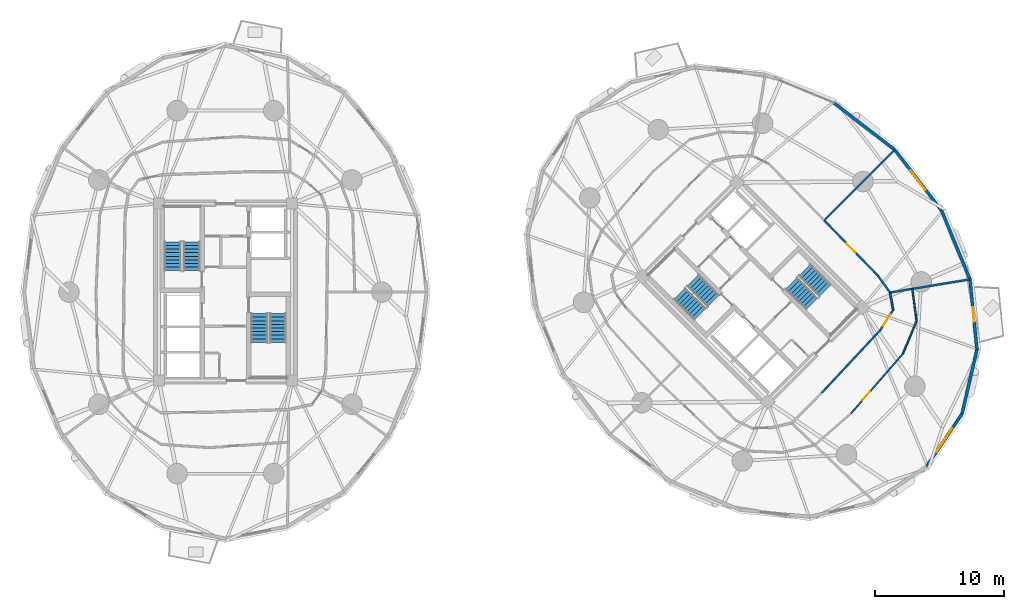
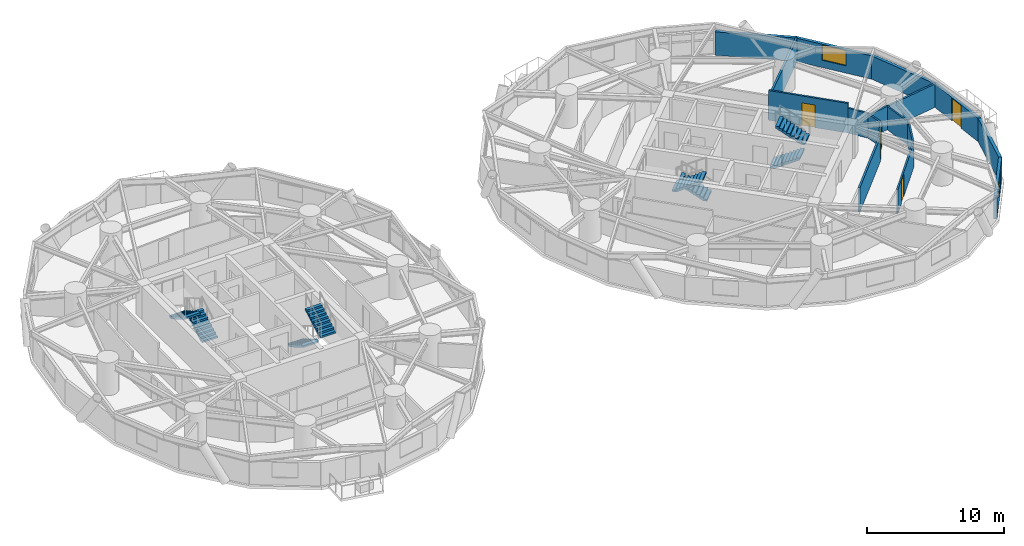
# One storey, part 14 of 17: 16 walls, 8 stair flights, 4 doors, 2 windows, 6 openings, 4 elements without a shape of their own.
"""IFC4 building model written with IfcOpenShell, lengths in metres."""

from ifc_helpers import new_model, si_unit, direction, frame, frame_2d, origin, place, context, subcontext, project, spatial, polyline, rectangle, outline, extrude, source, transform, mapped, material, layer, layer_set, type_object, element, fill, aggregate, save


model = new_model("IFC4")

# Units and contexts
model_context = context("Model", 3, precision=1e-05, world=origin(), true_north=direction((0.0, 1.0)))
body_context = subcontext(model_context, "Body", "Model", "MODEL_VIEW")
ifc_project = project(units=[si_unit("LENGTHUNIT", "METRE"), si_unit("AREAUNIT", "SQUARE_METRE"), si_unit("VOLUMEUNIT", "CUBIC_METRE"), si_unit("PLANEANGLEUNIT", "RADIAN"), si_unit("MASSUNIT", "GRAM", prefix="KILO")], contexts=[model_context])

# Site, building, storey
site_placement = place(None, origin())
site = spatial("IfcSite", under=ifc_project, at=site_placement, CompositionType="ELEMENT")
building_placement = place(site_placement, origin())
building = spatial("IfcBuilding", under=site, at=building_placement, Name="Cununo Teusaquillo Station Towers", CompositionType="ELEMENT")
storey_placement = place(building_placement, frame((0.0, 0.0, 59.830078125)))
storey = spatial("IfcBuildingStorey", under=building, at=storey_placement, Name="L18", CompositionType="ELEMENT", Elevation=59.830078125)

# Wall
ifc_material_1 = material(Name="Precast concrete C40/50", Category="concrete")
ifc_layer_1 = layer(ifc_material_1, 0.239990234375)
ifc_layer_set_1 = layer_set([ifc_layer_1], Name="Precast concrete C40/50")
wall_type_1 = type_object("IfcWallType", Name="WL-EXT-240", PredefinedType="SOLIDWALL", material=ifc_layer_set_1)
wall_1_placement = place(storey_placement, frame((63.844482421875, 39.22216796875, 0.0), z_axis=(0.0, 0.0, 1.0), x_axis=(0.792014314407, -0.610502519057, 0.0)))
element("IfcWall", 1, at=wall_1_placement, inside=storey, type_object=wall_type_1, Name="L18 Tower B Exterior Facade Wall C00", PredefinedType="SOLIDWALL", context=body_context, shape_type="SweptSolid", body=[
    extrude(rectangle(XDim=5.973388671875, YDim=0.239990234375, at=frame_2d((2.98681640625, 0.0))), origin(), (0.0, 0.0, 1.0), 2.072998046875),
])

# Wall, opening, window
wall_2_placement = place(storey_placement, frame((73.814208984375, 15.030517578125, 0.0), z_axis=(0.0, 0.0, 1.0), x_axis=(-0.559638693991, -0.828736708604, 0.0)))
wall_2 = element("IfcWall", 2, at=wall_2_placement, inside=storey, type_object=wall_type_1, Name="L18 Tower B Exterior Facade Wall C15", PredefinedType="SOLIDWALL", context=body_context, shape_type="SweptSolid", body=[
    extrude(rectangle(XDim=4.929931640625, YDim=0.239990234375, at=frame_2d((2.46484375, 0.0))), origin(), (0.0, 0.0, 1.0), 2.072998046875),
])
shared_shape_1 = source(origin(), body_context, "Body", "SweptSolid", [
    extrude(rectangle(XDim=2.199951171875, YDim=1.35009765625, at=frame_2d((1.10009765625, 0.675048828125))), frame((0.0, 0.1298828125, 0.0), z_axis=(0.0, -1.0, 0.0), x_axis=(1.0, 0.0, 0.0)), (0.0, 0.0, 1.0), 0.260009765625),
])
opening_1_placement = place(wall_2_placement, frame((1.364990234375, 0.0, 0.64990234375)))
opening_1 = element("IfcOpeningElement", 3, at=opening_1_placement, cuts=wall_2, Name="Opening WN-01", PredefinedType="OPENING", context=body_context, shape_type="MappedRepresentation", body=[
    mapped(shared_shape_1, transform((0.0, 0.0, 0.0), x_axis=(1.0, 0.0, 0.0), y_axis=(0.0, 1.0, 0.0), z_axis=(0.0, 0.0, 1.0), scale=1.0)),
])
ifc_material_2 = material(Name="Ceramic-fritted dark low-E double glazing", Category="glass")
window_type_1 = type_object("IfcWindowType", Name="WIN-FRIT-2200", PartitioningType="DOUBLE_PANEL_VERTICAL", PredefinedType="WINDOW", material=ifc_material_2)
shared_shape_2 = source(origin(), body_context, "Body", "SweptSolid", [
    extrude(rectangle(XDim=2.199951171875, YDim=1.35009765625, at=frame_2d((1.10009765625, 0.675048828125))), frame((0.0, 0.030029296875, 0.0), z_axis=(0.0, -1.0, 0.0), x_axis=(1.0, 0.0, 0.0)), (0.0, 0.0, 1.0), 0.06005859375),
])
window_1_placement = place(opening_1_placement, origin())
window_1 = element("IfcWindow", 4, at=window_1_placement, inside=storey, type_object=window_type_1, Name="L18 Tower B Facade Window C15", OverallHeight=1.35009765625, OverallWidth=2.199951171875, PartitioningType="DOUBLE_PANEL_VERTICAL", PredefinedType="WINDOW", context=body_context, shape_type="MappedRepresentation", body=[
    mapped(shared_shape_2, transform((0.0, 0.0, 0.0), x_axis=(1.0, 0.0, 0.0), y_axis=(0.0, 1.0, 0.0), z_axis=(0.0, 0.0, 1.0), scale=1.0)),
])
fill(opening_1, window_1)

# Wall
wall_3_placement = place(storey_placement, frame((74.976318359375, 20.04345703125, 0.0), z_axis=(0.0, 0.0, 1.0), x_axis=(-0.225833060959, -0.974166016949, 0.0)))
element("IfcWall", 5, at=wall_3_placement, inside=storey, type_object=wall_type_1, Name="L18 Tower B Exterior Facade Wall C16", PredefinedType="SOLIDWALL", context=body_context, shape_type="SweptSolid", body=[
    extrude(rectangle(XDim=5.14599609375, YDim=0.239990234375, at=frame_2d((2.572998046875, 0.0))), origin(), (0.0, 0.0, 1.0), 2.072998046875),
])

# Wall, opening, door
wall_4_placement = place(storey_placement, frame((74.427734375, 25.49267578125, 0.0), z_axis=(0.0, 0.0, 1.0), x_axis=(0.100165739718, -0.994970765694, 0.0)))
wall_4 = element("IfcWall", 6, at=wall_4_placement, inside=storey, type_object=wall_type_1, Name="L18 Tower B Exterior Facade Wall C17", PredefinedType="SOLIDWALL", context=body_context, shape_type="SweptSolid", body=[
    extrude(rectangle(XDim=5.476806640625, YDim=0.239990234375, at=frame_2d((2.73828125, 0.0))), origin(), (0.0, 0.0, 1.0), 2.072998046875),
])
shared_shape_3 = source(origin(), body_context, "Body", "SweptSolid", [
    extrude(rectangle(XDim=1.14990234375, YDim=2.0048828125, at=frame_2d((0.574951171875, 1.00244140625))), frame((0.0, 0.1298828125, 0.0), z_axis=(0.0, -1.0, 0.0), x_axis=(1.0, 0.0, 0.0)), (0.0, 0.0, 1.0), 0.260009765625),
])
opening_2_placement = place(wall_4_placement, frame((2.1630859375, 0.0, 0.0)))
opening_2 = element("IfcOpeningElement", 7, at=opening_2_placement, cuts=wall_4, Name="Opening ED-03", PredefinedType="OPENING", context=body_context, shape_type="MappedRepresentation", body=[
    mapped(shared_shape_3, transform((0.0, 0.0, 0.0), x_axis=(1.0, 0.0, 0.0), y_axis=(0.0, 1.0, 0.0), z_axis=(0.0, 0.0, 1.0), scale=1.0)),
])
ifc_material_3 = material(Name="Anodised dark bronze aluminium EN AW-6063-T6", Category="aluminium")
door_type_1 = type_object("IfcDoorType", Name="DR-EXT-BAL", OperationType="NOTDEFINED", PredefinedType="DOOR", material=ifc_material_3)
shared_shape_4 = source(origin(), body_context, "Body", "SweptSolid", [
    extrude(rectangle(XDim=1.14990234375, YDim=2.0048828125, at=frame_2d((0.574951171875, 1.00244140625))), frame((0.0, 0.02490234375, 0.0), z_axis=(0.0, -1.0, 0.0), x_axis=(1.0, 0.0, 0.0)), (0.0, 0.0, 1.0), 0.050048828125),
])
door_1_placement = place(opening_2_placement, origin())
door_1 = element("IfcDoor", 8, at=door_1_placement, inside=storey, type_object=door_type_1, Name="L18 Tower B Tree Balcony Door C17", OperationType="SINGLE_SWING_LEFT", OverallHeight=2.0048828125, OverallWidth=1.14990234375, PredefinedType="DOOR", context=body_context, shape_type="MappedRepresentation", body=[
    mapped(shared_shape_4, transform((0.0, 0.0, 0.0), x_axis=(1.0, 0.0, 0.0), y_axis=(0.0, 1.0, 0.0), z_axis=(0.0, 0.0, 1.0), scale=1.0)),
])
fill(opening_2, door_1)

# Wall
wall_5_placement = place(storey_placement, frame((72.22216796875, 30.844482421875, 0.0), z_axis=(0.0, 0.0, 1.0), x_axis=(0.381027682565, -0.924563629567, 0.0)))
element("IfcWall", 9, at=wall_5_placement, inside=storey, type_object=wall_type_1, Name="L18 Tower B Exterior Facade Wall C18", PredefinedType="SOLIDWALL", context=body_context, shape_type="SweptSolid", body=[
    extrude(rectangle(XDim=5.78857421875, YDim=0.239990234375, at=frame_2d((2.894287109375, 0.0))), origin(), (0.0, 0.0, 1.0), 2.072998046875),
])

# Wall, opening, window
wall_6_placement = place(storey_placement, frame((68.575439453125, 35.575439453125, 0.0), z_axis=(0.0, 0.0, 1.0), x_axis=(0.610502519057, -0.792014314407, 0.0)))
wall_6 = element("IfcWall", 10, at=wall_6_placement, inside=storey, type_object=wall_type_1, Name="L18 Tower B Exterior Facade Wall C19", PredefinedType="SOLIDWALL", context=body_context, shape_type="SweptSolid", body=[
    extrude(rectangle(XDim=5.973388671875, YDim=0.239990234375, at=frame_2d((2.98681640625, 0.0))), origin(), (0.0, 0.0, 1.0), 2.072998046875),
])
shared_shape_5 = source(origin(), body_context, "Body", "SweptSolid", [
    extrude(rectangle(XDim=1.89990234375, YDim=1.35009765625, at=frame_2d((0.949951171875, 0.675048828125))), frame((0.0, 0.1298828125, 0.0), z_axis=(0.0, -1.0, 0.0), x_axis=(1.0, 0.0, 0.0)), (0.0, 0.0, 1.0), 0.260009765625),
])
opening_3_placement = place(wall_6_placement, frame((2.037109375, 0.0, 0.64990234375)))
opening_3 = element("IfcOpeningElement", 11, at=opening_3_placement, cuts=wall_6, Name="Opening WN-02", PredefinedType="OPENING", context=body_context, shape_type="MappedRepresentation", body=[
    mapped(shared_shape_5, transform((0.0, 0.0, 0.0), x_axis=(1.0, 0.0, 0.0), y_axis=(0.0, 1.0, 0.0), z_axis=(0.0, 0.0, 1.0), scale=1.0)),
])
ifc_material_4 = material(Name="Operable acoustic tinted low-E double glazing", Category="glass")
window_type_2 = type_object("IfcWindowType", Name="WIN-OPER-1900", PartitioningType="DOUBLE_PANEL_VERTICAL", PredefinedType="WINDOW", material=ifc_material_4)
shared_shape_6 = source(origin(), body_context, "Body", "SweptSolid", [
    extrude(rectangle(XDim=1.89990234375, YDim=1.35009765625, at=frame_2d((0.949951171875, 0.675048828125))), frame((0.0, 0.030029296875, 0.0), z_axis=(0.0, -1.0, 0.0), x_axis=(1.0, 0.0, 0.0)), (0.0, 0.0, 1.0), 0.06005859375),
])
window_2_placement = place(opening_3_placement, origin())
window_2 = element("IfcWindow", 12, at=window_2_placement, inside=storey, type_object=window_type_2, Name="L18 Tower B Facade Window C19", OverallHeight=1.35009765625, OverallWidth=1.89990234375, PartitioningType="DOUBLE_PANEL_VERTICAL", PredefinedType="WINDOW", context=body_context, shape_type="MappedRepresentation", body=[
    mapped(shared_shape_6, transform((0.0, 0.0, 0.0), x_axis=(1.0, 0.0, 0.0), y_axis=(0.0, 1.0, 0.0), z_axis=(0.0, 0.0, 1.0), scale=1.0)),
])
fill(opening_3, window_2)

# Wall, opening, door
ifc_material_5 = material(Name="Fire-rated gypsum plasterboard partition assembly", Category="gypsum")
ifc_layer_2 = layer(ifc_material_5, 0.125)
ifc_layer_set_2 = layer_set([ifc_layer_2], Name="Fire-rated gypsum plasterboard partition assembly")
wall_type_2 = type_object("IfcWallType", Name="WL-PART-125", PredefinedType="PARTITIONING", material=ifc_layer_set_2)
wall_7_placement = place(storey_placement, frame((65.181396484375, 15.068359375, 0.0), z_axis=(0.0, 0.0, 1.0), x_axis=(0.656272116637, 0.754524293131, 0.0)))
wall_7 = element("IfcWall", 13, at=wall_7_placement, inside=storey, type_object=wall_type_2, Name="L18 Tower B Hotel Housekeeping & Linen Pantry Concentric Partition Wall C15", PredefinedType="PARTITIONING", context=body_context, shape_type="SweptSolid", body=[
    extrude(rectangle(XDim=6.1474609375, YDim=0.125, at=frame_2d((3.07373046875, 0.0))), origin(), (0.0, 0.0, 1.0), 2.158935546875),
])
shared_shape_7 = source(origin(), body_context, "Body", "SweptSolid", [
    extrude(rectangle(XDim=0.89990234375, YDim=2.0048828125, at=frame_2d((0.449951171875, 1.00244140625))), frame((0.0, 0.072509765625, 0.0), z_axis=(0.0, -1.0, 0.0), x_axis=(1.0, 0.0, 0.0)), (0.0, 0.0, 1.0), 0.14501953125),
])
opening_4_placement = place(wall_7_placement, frame((1.371826171875, 0.0, 0.0)))
opening_4 = element("IfcOpeningElement", 14, at=opening_4_placement, cuts=wall_7, Name="Opening D-IN1", PredefinedType="OPENING", context=body_context, shape_type="MappedRepresentation", body=[
    mapped(shared_shape_7, transform((0.0, 0.0, 0.0), x_axis=(1.0, 0.0, 0.0), y_axis=(0.0, 1.0, 0.0), z_axis=(0.0, 0.0, 1.0), scale=1.0)),
])
ifc_material_6 = material(Name="Acoustic solid-core hardwood leaf assembly", Category="wood")
door_type_2 = type_object("IfcDoorType", Name="DR-INT-900", OperationType="NOTDEFINED", PredefinedType="DOOR", material=ifc_material_6)
shared_shape_8 = source(origin(), body_context, "Body", "SweptSolid", [
    extrude(rectangle(XDim=0.89990234375, YDim=2.0048828125, at=frame_2d((0.449951171875, 1.00244140625))), frame((0.0, 0.02490234375, 0.0), z_axis=(0.0, -1.0, 0.0), x_axis=(1.0, 0.0, 0.0)), (0.0, 0.0, 1.0), 0.050048828125),
])
door_2_placement = place(opening_4_placement, origin())
door_2 = element("IfcDoor", 15, at=door_2_placement, inside=storey, type_object=door_type_2, Name="L18 Tower B Hotel Housekeeping & Linen Pantry Connecting Door", OperationType="SINGLE_SWING_LEFT", OverallHeight=2.0048828125, OverallWidth=0.89990234375, PredefinedType="DOOR", context=body_context, shape_type="MappedRepresentation", body=[
    mapped(shared_shape_8, transform((0.0, 0.0, 0.0), x_axis=(1.0, 0.0, 0.0), y_axis=(0.0, 1.0, 0.0), z_axis=(0.0, 0.0, 1.0), scale=1.0)),
])
fill(opening_4, door_2)

# Walls
wall_8_placement = place(storey_placement, frame((69.2158203125, 19.706787109375, 0.0), z_axis=(0.0, 0.0, 1.0), x_axis=(0.384483341888, 0.923131929797, 0.0)))
element("IfcWall", 16, at=wall_8_placement, inside=storey, type_object=wall_type_2, Name="L18 Tower B Hotel Housekeeping & Linen Pantry Concentric Partition Wall C16", PredefinedType="PARTITIONING", context=body_context, shape_type="SweptSolid", body=[
    extrude(rectangle(XDim=2.757080078125, YDim=0.125, at=frame_2d((1.37841796875, 0.0))), origin(), (0.0, 0.0, 1.0), 2.204833984375),
])
wall_9_placement = place(storey_placement, frame((70.27587890625, 22.251953125, 0.0), z_axis=(0.0, 0.0, 1.0), x_axis=(-0.130649633398, 0.991428602217, 0.0)))
element("IfcWall", 17, at=wall_9_placement, inside=storey, type_object=wall_type_2, Name="L18 Tower B Hotel Housekeeping & Linen Pantry Concentric Partition Wall C17", PredefinedType="PARTITIONING", context=body_context, shape_type="SweptSolid", body=[
    extrude(rectangle(XDim=2.524658203125, YDim=0.125, at=frame_2d((1.26220703125, 0.0))), origin(), (0.0, 0.0, 1.0), 2.072998046875),
])
ifc_material_7 = material(Name="Fire-rated gypsum plasterboard partition assembly", Category="gypsum")
ifc_layer_3 = layer(ifc_material_7, 0.14990234375)
ifc_layer_set_3 = layer_set([ifc_layer_3], Name="Fire-rated gypsum plasterboard partition assembly")
wall_type_3 = type_object("IfcWallType", Name="WL-PART-150", PredefinedType="PARTITIONING", material=ifc_layer_set_3)
wall_10_placement = place(storey_placement, frame((62.902587890625, 16.66650390625, 0.0), z_axis=(0.0, 0.0, 1.0), x_axis=(0.682371947497, 0.731005147225, 0.0)))
element("IfcWall", 18, at=wall_10_placement, inside=storey, type_object=wall_type_3, Name="L18 Tower B Corridor Ring Wall C15", PredefinedType="PARTITIONING", context=body_context, shape_type="SweptSolid", body=[
    extrude(rectangle(XDim=6.6416015625, YDim=0.14990234375, at=frame_2d((3.32080078125, 0.0))), origin(), (0.0, 0.0, 1.0), 2.158935546875),
])

# Wall, opening, door
wall_11_placement = place(storey_placement, frame((67.4345703125, 21.521484375, 0.0), z_axis=(0.0, 0.0, 1.0), x_axis=(0.540777197838, 0.841165870859, 0.0)))
wall_11 = element("IfcWall", 19, at=wall_11_placement, inside=storey, type_object=wall_type_3, Name="L18 Tower B Corridor Ring Wall C16", PredefinedType="PARTITIONING", context=body_context, shape_type="SweptSolid", body=[
    extrude(rectangle(XDim=1.887939453125, YDim=0.14990234375, at=frame_2d((0.94384765625, 0.0))), origin(), (0.0, 0.0, 1.0), 2.204833984375),
])
shared_shape_9 = source(origin(), body_context, "Body", "SweptSolid", [
    extrude(rectangle(XDim=1.050048828125, YDim=2.014892578125, at=frame_2d((0.52490234375, 1.00732421875))), frame((0.0, 0.0849609375, 0.0), z_axis=(0.0, -1.0, 0.0), x_axis=(1.0, 0.0, 0.0)), (0.0, 0.0, 1.0), 0.169921875),
])
opening_5_placement = place(wall_11_placement, frame((0.4189453125, 0.0, 0.0)))
opening_5 = element("IfcOpeningElement", 20, at=opening_5_placement, cuts=wall_11, Name="Opening D-SU1", PredefinedType="OPENING", context=body_context, shape_type="MappedRepresentation", body=[
    mapped(shared_shape_9, transform((0.0, 0.0, 0.0), x_axis=(1.0, 0.0, 0.0), y_axis=(0.0, 1.0, 0.0), z_axis=(0.0, 0.0, 1.0), scale=1.0)),
])
ifc_material_8 = material(Name="Acoustic solid-core hardwood leaf assembly", Category="wood")
door_type_3 = type_object("IfcDoorType", Name="DR-SUITE-1050", OperationType="NOTDEFINED", PredefinedType="DOOR", material=ifc_material_8)
shared_shape_10 = source(origin(), body_context, "Body", "SweptSolid", [
    extrude(rectangle(XDim=1.050048828125, YDim=2.014892578125, at=frame_2d((0.52490234375, 1.00732421875))), frame((0.0, 0.02490234375, 0.0), z_axis=(0.0, -1.0, 0.0), x_axis=(1.0, 0.0, 0.0)), (0.0, 0.0, 1.0), 0.050048828125),
])
door_3_placement = place(opening_5_placement, origin())
door_3 = element("IfcDoor", 21, at=door_3_placement, inside=storey, type_object=door_type_3, Name="L18 Tower B Hotel Housekeeping & Linen Pantry Entrance Door", OperationType="SINGLE_SWING_RIGHT", OverallHeight=2.014892578125, OverallWidth=1.050048828125, PredefinedType="DOOR", context=body_context, shape_type="MappedRepresentation", body=[
    mapped(shared_shape_10, transform((0.0, 0.0, 0.0), x_axis=(1.0, 0.0, 0.0), y_axis=(0.0, 1.0, 0.0), z_axis=(0.0, 0.0, 1.0), scale=1.0)),
])
fill(opening_5, door_3)

# Walls
wall_12_placement = place(storey_placement, frame((68.45556640625, 23.109619140625, 0.0), z_axis=(0.0, 0.0, 1.0), x_axis=(-0.1772522795, 0.984165448191, 0.0)))
element("IfcWall", 22, at=wall_12_placement, inside=storey, type_object=wall_type_3, Name="L18 Tower B Corridor Ring Wall C17", PredefinedType="PARTITIONING", context=body_context, shape_type="SweptSolid", body=[
    extrude(rectangle(XDim=1.381591796875, YDim=0.14990234375, at=frame_2d((0.69091796875, 0.0))), origin(), (0.0, 0.0, 1.0), 2.158935546875),
])
wall_13_placement = place(storey_placement, frame((68.210693359375, 24.46923828125, 0.0), z_axis=(0.0, 0.0, 1.0), x_axis=(-0.583012141368, 0.812463441034, 0.0)))
element("IfcWall", 23, at=wall_13_placement, inside=storey, type_object=wall_type_3, Name="L18 Tower B Corridor Ring Wall C18", PredefinedType="PARTITIONING", context=body_context, shape_type="SweptSolid", body=[
    extrude(rectangle(XDim=1.613037109375, YDim=0.14990234375, at=frame_2d((0.806640625, 0.0))), origin(), (0.0, 0.0, 1.0), 2.204833984375),
])

# Wall, opening, door
wall_14_placement = place(storey_placement, frame((67.270263671875, 25.77978515625, 0.0), z_axis=(0.0, 0.0, 1.0), x_axis=(-0.696847842907, 0.717218992942, 0.0)))
wall_14 = element("IfcWall", 24, at=wall_14_placement, inside=storey, type_object=wall_type_3, Name="L18 Tower B Corridor Ring Wall C19", PredefinedType="PARTITIONING", context=body_context, shape_type="SweptSolid", body=[
    extrude(rectangle(XDim=6.00439453125, YDim=0.14990234375, at=frame_2d((3.002197265625, 0.0))), origin(), (0.0, 0.0, 1.0), 2.635009765625),
])
shared_shape_11 = source(origin(), body_context, "Body", "SweptSolid", [
    extrude(rectangle(XDim=1.0, YDim=2.014892578125, at=frame_2d((0.5, 1.00732421875))), frame((0.0, 0.0849609375, 0.0), z_axis=(0.0, -1.0, 0.0), x_axis=(1.0, 0.0, 0.0)), (0.0, 0.0, 1.0), 0.169921875),
])
opening_6_placement = place(wall_14_placement, frame((2.502197265625, 0.0, 0.0)))
opening_6 = element("IfcOpeningElement", 25, at=opening_6_placement, cuts=wall_14, Name="Opening D-AC1", PredefinedType="OPENING", context=body_context, shape_type="MappedRepresentation", body=[
    mapped(shared_shape_11, transform((0.0, 0.0, 0.0), x_axis=(1.0, 0.0, 0.0), y_axis=(0.0, 1.0, 0.0), z_axis=(0.0, 0.0, 1.0), scale=1.0)),
])
ifc_material_9 = material(Name="Acoustic solid-core hardwood leaf assembly", Category="wood")
door_type_4 = type_object("IfcDoorType", Name="DR-ACC-1000", OperationType="NOTDEFINED", PredefinedType="DOOR", material=ifc_material_9)
shared_shape_12 = source(origin(), body_context, "Body", "SweptSolid", [
    extrude(rectangle(XDim=1.0, YDim=2.014892578125, at=frame_2d((0.5, 1.00732421875))), frame((0.0, 0.02490234375, 0.0), z_axis=(0.0, -1.0, 0.0), x_axis=(1.0, 0.0, 0.0)), (0.0, 0.0, 1.0), 0.050048828125),
])
door_4_placement = place(opening_6_placement, origin())
door_4 = element("IfcDoor", 26, at=door_4_placement, inside=storey, type_object=door_type_4, Name="L18 Tower B Public Accessible Restroom WC Entrance Door", OperationType="SINGLE_SWING_RIGHT", OverallHeight=2.014892578125, OverallWidth=1.0, PredefinedType="DOOR", context=body_context, shape_type="MappedRepresentation", body=[
    mapped(shared_shape_12, transform((0.0, 0.0, 0.0), x_axis=(1.0, 0.0, 0.0), y_axis=(0.0, 1.0, 0.0), z_axis=(0.0, 0.0, 1.0), scale=1.0)),
])
fill(opening_6, door_4)

# Walls
ifc_material_10 = material(Name="Fire-rated gypsum plasterboard partition assembly", Category="gypsum")
ifc_layer_4 = layer(ifc_material_10, 0.159912109375)
ifc_layer_set_4 = layer_set([ifc_layer_4], Name="Fire-rated gypsum plasterboard partition assembly")
wall_type_4 = type_object("IfcWallType", Name="WL-PART-160", PredefinedType="PARTITIONING", material=ifc_layer_set_4)
wall_15_placement = place(storey_placement, frame((63.086181640625, 30.086181640625, 0.0), z_axis=(0.0, 0.0, 1.0), x_axis=(0.707106781187, 0.707106781187, 0.0)))
element("IfcWall", 27, at=wall_15_placement, inside=storey, type_object=wall_type_4, Name="L18 Tower B Radial Suite Partition R01", PredefinedType="PARTITIONING", context=body_context, shape_type="SweptSolid", body=[
    extrude(rectangle(XDim=7.742919921875, YDim=0.159912109375, at=frame_2d((3.87158203125, 0.0))), origin(), (0.0, 0.0, 1.0), 2.072998046875),
])
wall_16_placement = place(storey_placement, frame((68.210693359375, 24.46923828125, 0.0), z_axis=(0.0, 0.0, 1.0), x_axis=(0.986718695255, 0.162438346562, 0.0)))
element("IfcWall", 28, at=wall_16_placement, inside=storey, type_object=wall_type_4, Name="L18 Tower B Radial Suite Partition R06", PredefinedType="PARTITIONING", context=body_context, shape_type="SweptSolid", body=[
    extrude(rectangle(XDim=6.281005859375, YDim=0.159912109375, at=frame_2d((3.140625, 0.0))), origin(), (0.0, 0.0, 1.0), 2.072998046875),
])

# Stair, stair flights
ifc_material_11 = material(Name="Concrete C50/60", Category="concrete")
stair_type = type_object("IfcStairType", Name="ST-TWR-1300", PredefinedType="HALF_TURN_STAIR", material=ifc_material_11)
stair_1_placement = place(storey_placement, origin())
stair_1 = element("IfcStair", 29, at=stair_1_placement, inside=storey, type_object=stair_type, Name="L18 Tower A Protected Core Exit Stair 1", PredefinedType="HALF_TURN_STAIR")
ifc_material_12 = material(Name="Concrete C50/60", Category="concrete")
stair_flight_type = type_object("IfcStairFlightType", Name="SFL-TWR-1300", PredefinedType="STRAIGHT", material=ifc_material_12)
stair_flight_1_placement = place(storey_placement, frame((13.8701171875, 26.169921875, 0.0), z_axis=(0.0, 0.0, 1.0), x_axis=(0.0, 1.0, 0.0)))
stair_flight_1 = element("IfcStairFlight", 30, at=stair_flight_1_placement, type_object=stair_flight_type, Name="ST-T1-1 flight 1", NumberOfRisers=9, NumberOfTreads=8, PredefinedType="STRAIGHT", RiserHeight=0.161666667, TreadLength=0.28, context=body_context, shape_type="SweptSolid", body=[
    extrude(outline(polyline([(0.0, 0.0), (0.0, 0.16162109375), (0.280029296875, 0.16162109375), (0.280029296875, 0.3232421875), (0.56005859375, 0.3232421875), (0.56005859375, 0.485107421875), (0.840087890625, 0.485107421875), (0.840087890625, 0.646728515625), (1.1201171875, 0.646728515625), (1.1201171875, 0.808349609375), (1.39990234375, 0.808349609375), (1.39990234375, 0.969970703125), (1.679931640625, 0.969970703125), (1.679931640625, 1.131591796875), (1.9599609375, 1.131591796875), (1.9599609375, 1.293212890625), (2.239990234375, 1.293212890625), (2.239990234375, 1.455078125), (2.239990234375, 1.1201171875), (0.2998046875, 0.0), (0.0, 0.0)])), frame((0.0, 0.64990234375, 0.0), z_axis=(0.0, -1.0, 0.0), x_axis=(1.0, 0.0, 0.0)), (0.0, 0.0, 1.0), 1.300048828125),
])
stair_flight_2_placement = place(storey_placement, frame((12.409912109375, 28.409912109375, 1.454833984375), z_axis=(0.0, 0.0, 1.0), x_axis=(0.0, -1.0, 0.0)))
stair_flight_2 = element("IfcStairFlight", 31, at=stair_flight_2_placement, type_object=stair_flight_type, Name="ST-T1-1 flight 2", NumberOfRisers=9, NumberOfTreads=8, PredefinedType="STRAIGHT", RiserHeight=0.161666667, TreadLength=0.28, context=body_context, shape_type="SweptSolid", body=[
    extrude(outline(polyline([(0.0, 0.0), (0.0, 0.16162109375), (0.280029296875, 0.16162109375), (0.280029296875, 0.3232421875), (0.56005859375, 0.3232421875), (0.56005859375, 0.485107421875), (0.840087890625, 0.485107421875), (0.840087890625, 0.646728515625), (1.1201171875, 0.646728515625), (1.1201171875, 0.808349609375), (1.39990234375, 0.808349609375), (1.39990234375, 0.969970703125), (1.679931640625, 0.969970703125), (1.679931640625, 1.131591796875), (1.9599609375, 1.131591796875), (1.9599609375, 1.293212890625), (2.239990234375, 1.293212890625), (2.239990234375, 1.455078125), (2.239990234375, 1.1201171875), (0.2998046875, 0.0), (0.0, 0.0)])), frame((0.0, 0.64990234375, 0.0), z_axis=(0.0, -1.0, 0.0), x_axis=(1.0, 0.0, 0.0)), (0.0, 0.0, 1.0), 1.300048828125),
])
aggregate(stair_1, [stair_flight_1, stair_flight_2])

stair_2_placement = place(storey_placement, origin())
stair_2 = element("IfcStair", 32, at=stair_2_placement, inside=storey, type_object=stair_type, Name="L18 Tower A Protected Core Exit Stair 2", PredefinedType="HALF_TURN_STAIR")
stair_flight_3_placement = place(storey_placement, frame((19.1298828125, 22.830078125, 0.0), z_axis=(0.0, 0.0, 1.0), x_axis=(0.0, -1.0, 0.0)))
stair_flight_3 = element("IfcStairFlight", 33, at=stair_flight_3_placement, type_object=stair_flight_type, Name="ST-T1-2 flight 1", NumberOfRisers=9, NumberOfTreads=8, PredefinedType="STRAIGHT", RiserHeight=0.161666667, TreadLength=0.28, context=body_context, shape_type="SweptSolid", body=[
    extrude(outline(polyline([(0.0, 0.0), (0.0, 0.16162109375), (0.280029296875, 0.16162109375), (0.280029296875, 0.3232421875), (0.56005859375, 0.3232421875), (0.56005859375, 0.485107421875), (0.840087890625, 0.485107421875), (0.840087890625, 0.646728515625), (1.1201171875, 0.646728515625), (1.1201171875, 0.808349609375), (1.39990234375, 0.808349609375), (1.39990234375, 0.969970703125), (1.679931640625, 0.969970703125), (1.679931640625, 1.131591796875), (1.9599609375, 1.131591796875), (1.9599609375, 1.293212890625), (2.239990234375, 1.293212890625), (2.239990234375, 1.455078125), (2.239990234375, 1.1201171875), (0.2998046875, 0.0), (0.0, 0.0)])), frame((0.0, 0.64990234375, 0.0), z_axis=(0.0, -1.0, 0.0), x_axis=(1.0, 0.0, 0.0)), (0.0, 0.0, 1.0), 1.300048828125),
])
stair_flight_4_placement = place(storey_placement, frame((20.590087890625, 20.590087890625, 1.454833984375), z_axis=(0.0, 0.0, 1.0), x_axis=(0.0, 1.0, 0.0)))
stair_flight_4 = element("IfcStairFlight", 34, at=stair_flight_4_placement, type_object=stair_flight_type, Name="ST-T1-2 flight 2", NumberOfRisers=9, NumberOfTreads=8, PredefinedType="STRAIGHT", RiserHeight=0.161666667, TreadLength=0.28, context=body_context, shape_type="SweptSolid", body=[
    extrude(outline(polyline([(0.0, 0.0), (0.0, 0.16162109375), (0.280029296875, 0.16162109375), (0.280029296875, 0.3232421875), (0.56005859375, 0.3232421875), (0.56005859375, 0.485107421875), (0.840087890625, 0.485107421875), (0.840087890625, 0.646728515625), (1.1201171875, 0.646728515625), (1.1201171875, 0.808349609375), (1.39990234375, 0.808349609375), (1.39990234375, 0.969970703125), (1.679931640625, 0.969970703125), (1.679931640625, 1.131591796875), (1.9599609375, 1.131591796875), (1.9599609375, 1.293212890625), (2.239990234375, 1.293212890625), (2.239990234375, 1.455078125), (2.239990234375, 1.1201171875), (0.2998046875, 0.0), (0.0, 0.0)])), frame((0.0, 0.64990234375, 0.0), z_axis=(0.0, -1.0, 0.0), x_axis=(1.0, 0.0, 0.0)), (0.0, 0.0, 1.0), 1.300048828125),
])
aggregate(stair_2, [stair_flight_3, stair_flight_4])

stair_3_placement = place(storey_placement, origin())
stair_3 = element("IfcStair", 35, at=stair_3_placement, inside=storey, type_object=stair_type, Name="L18 Tower B Protected Core Exit Stair 1", PredefinedType="HALF_TURN_STAIR")
stair_flight_5_placement = place(storey_placement, frame((54.45947265625, 23.8212890625, 0.0), z_axis=(0.0, 0.0, 1.0), x_axis=(-0.707106781187, 0.707106781187, 0.0)))
stair_flight_5 = element("IfcStairFlight", 36, at=stair_flight_5_placement, type_object=stair_flight_type, Name="ST-T2-1 flight 1", NumberOfRisers=9, NumberOfTreads=8, PredefinedType="STRAIGHT", RiserHeight=0.161666667, TreadLength=0.28, context=body_context, shape_type="SweptSolid", body=[
    extrude(outline(polyline([(0.0, 0.0), (0.0, 0.16162109375), (0.280029296875, 0.16162109375), (0.280029296875, 0.3232421875), (0.56005859375, 0.3232421875), (0.56005859375, 0.485107421875), (0.840087890625, 0.485107421875), (0.840087890625, 0.646728515625), (1.1201171875, 0.646728515625), (1.1201171875, 0.808349609375), (1.39990234375, 0.808349609375), (1.39990234375, 0.969970703125), (1.679931640625, 0.969970703125), (1.679931640625, 1.131591796875), (1.9599609375, 1.131591796875), (1.9599609375, 1.293212890625), (2.239990234375, 1.293212890625), (2.239990234375, 1.455078125), (2.239990234375, 1.1201171875), (0.2998046875, 0.0), (0.0, 0.0)])), frame((0.0, 0.64990234375, 0.0), z_axis=(0.0, -1.0, 0.0), x_axis=(1.0, 0.0, 0.0)), (0.0, 0.0, 1.0), 1.300048828125),
])
stair_flight_6_placement = place(storey_placement, frame((51.84326171875, 24.372802734375, 1.454833984375), z_axis=(0.0, 0.0, 1.0), x_axis=(0.707106781187, -0.707106781187, 0.0)))
stair_flight_6 = element("IfcStairFlight", 37, at=stair_flight_6_placement, type_object=stair_flight_type, Name="ST-T2-1 flight 2", NumberOfRisers=9, NumberOfTreads=8, PredefinedType="STRAIGHT", RiserHeight=0.161666667, TreadLength=0.28, context=body_context, shape_type="SweptSolid", body=[
    extrude(outline(polyline([(0.0, 0.0), (0.0, 0.16162109375), (0.280029296875, 0.16162109375), (0.280029296875, 0.3232421875), (0.56005859375, 0.3232421875), (0.56005859375, 0.485107421875), (0.840087890625, 0.485107421875), (0.840087890625, 0.646728515625), (1.1201171875, 0.646728515625), (1.1201171875, 0.808349609375), (1.39990234375, 0.808349609375), (1.39990234375, 0.969970703125), (1.679931640625, 0.969970703125), (1.679931640625, 1.131591796875), (1.9599609375, 1.131591796875), (1.9599609375, 1.293212890625), (2.239990234375, 1.293212890625), (2.239990234375, 1.455078125), (2.239990234375, 1.1201171875), (0.2998046875, 0.0), (0.0, 0.0)])), frame((0.0, 0.64990234375, 0.0), z_axis=(0.0, -1.0, 0.0), x_axis=(1.0, 0.0, 0.0)), (0.0, 0.0, 1.0), 1.300048828125),
])
aggregate(stair_3, [stair_flight_5, stair_flight_6])

stair_4_placement = place(storey_placement, origin())
stair_4 = element("IfcStair", 38, at=stair_4_placement, inside=storey, type_object=stair_type, Name="L18 Tower B Protected Core Exit Stair 2", PredefinedType="HALF_TURN_STAIR")
stair_flight_7_placement = place(storey_placement, frame((60.54052734375, 25.1787109375, 0.0), z_axis=(0.0, 0.0, 1.0), x_axis=(0.707106781187, -0.707106781187, 0.0)))
stair_flight_7 = element("IfcStairFlight", 39, at=stair_flight_7_placement, type_object=stair_flight_type, Name="ST-T2-2 flight 1", NumberOfRisers=9, NumberOfTreads=8, PredefinedType="STRAIGHT", RiserHeight=0.161666667, TreadLength=0.28, context=body_context, shape_type="SweptSolid", body=[
    extrude(outline(polyline([(0.0, 0.0), (0.0, 0.16162109375), (0.280029296875, 0.16162109375), (0.280029296875, 0.3232421875), (0.56005859375, 0.3232421875), (0.56005859375, 0.485107421875), (0.840087890625, 0.485107421875), (0.840087890625, 0.646728515625), (1.1201171875, 0.646728515625), (1.1201171875, 0.808349609375), (1.39990234375, 0.808349609375), (1.39990234375, 0.969970703125), (1.679931640625, 0.969970703125), (1.679931640625, 1.131591796875), (1.9599609375, 1.131591796875), (1.9599609375, 1.293212890625), (2.239990234375, 1.293212890625), (2.239990234375, 1.455078125), (2.239990234375, 1.1201171875), (0.2998046875, 0.0), (0.0, 0.0)])), frame((0.0, 0.64990234375, 0.0), z_axis=(0.0, -1.0, 0.0), x_axis=(1.0, 0.0, 0.0)), (0.0, 0.0, 1.0), 1.300048828125),
])
stair_flight_8_placement = place(storey_placement, frame((63.15673828125, 24.627197265625, 1.454833984375), z_axis=(0.0, 0.0, 1.0), x_axis=(-0.707106781187, 0.707106781187, 0.0)))
stair_flight_8 = element("IfcStairFlight", 40, at=stair_flight_8_placement, type_object=stair_flight_type, Name="ST-T2-2 flight 2", NumberOfRisers=9, NumberOfTreads=8, PredefinedType="STRAIGHT", RiserHeight=0.161666667, TreadLength=0.28, context=body_context, shape_type="SweptSolid", body=[
    extrude(outline(polyline([(0.0, 0.0), (0.0, 0.16162109375), (0.280029296875, 0.16162109375), (0.280029296875, 0.3232421875), (0.56005859375, 0.3232421875), (0.56005859375, 0.485107421875), (0.840087890625, 0.485107421875), (0.840087890625, 0.646728515625), (1.1201171875, 0.646728515625), (1.1201171875, 0.808349609375), (1.39990234375, 0.808349609375), (1.39990234375, 0.969970703125), (1.679931640625, 0.969970703125), (1.679931640625, 1.131591796875), (1.9599609375, 1.131591796875), (1.9599609375, 1.293212890625), (2.239990234375, 1.293212890625), (2.239990234375, 1.455078125), (2.239990234375, 1.1201171875), (0.2998046875, 0.0), (0.0, 0.0)])), frame((0.0, 0.64990234375, 0.0), z_axis=(0.0, -1.0, 0.0), x_axis=(1.0, 0.0, 0.0)), (0.0, 0.0, 1.0), 1.300048828125),
])
aggregate(stair_4, [stair_flight_7, stair_flight_8])

save(model, "model.ifc")
